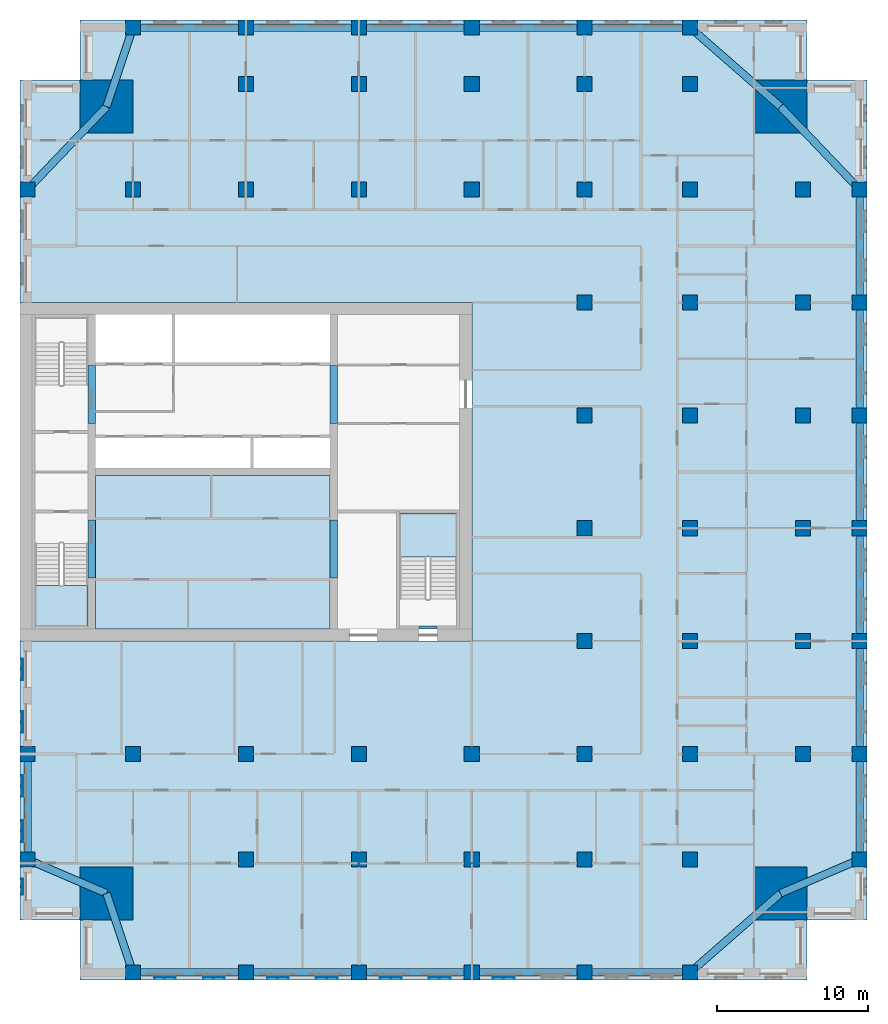
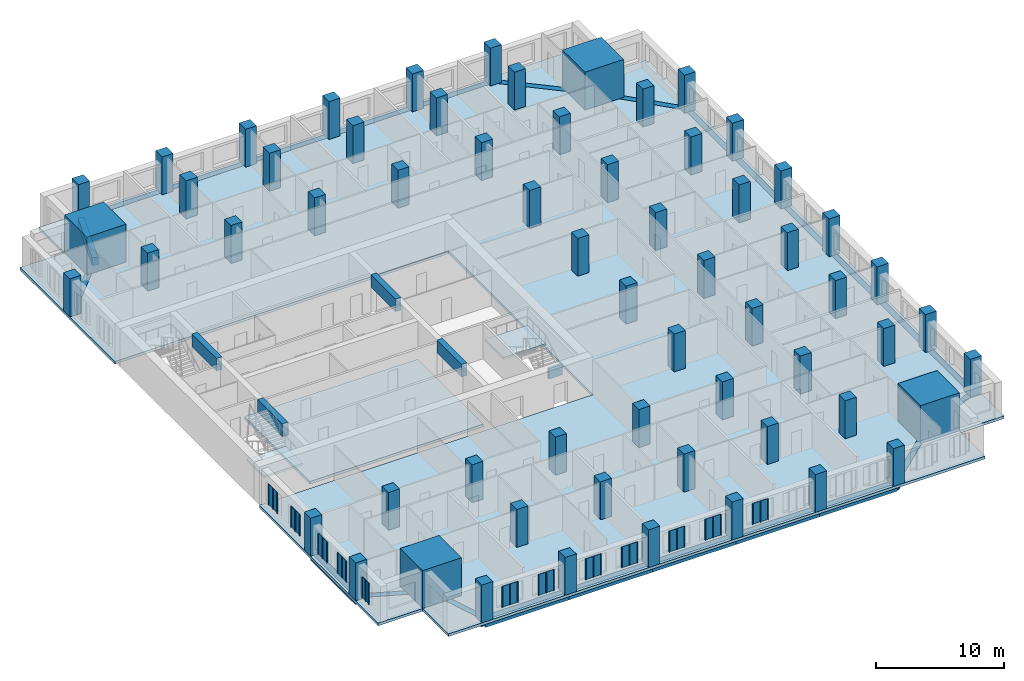
# One storey, part 1 of 14: 62 columns, 30 beams, 12 plates, 4 slabs, 2 elements without a shape of their own.
"""IFC4 building model written with IfcOpenShell, lengths in metres."""

from ifc_helpers import new_model, si_unit, direction, frame, origin, origin_2d, place, context, subcontext, project, spatial, polyline, rectangle, outline, extrude, material, layer, layer_set, material_profile, profile_set, type_object, element, aggregate, save


model = new_model("IFC4")

# Units and contexts
model_context = context("Model", 3, precision=1e-05, world=origin(), true_north=direction((0.0, 1.0)))
body_context = subcontext(model_context, "Body", "Model", "MODEL_VIEW")
ifc_project = project(units=[si_unit("LENGTHUNIT", "METRE"), si_unit("AREAUNIT", "SQUARE_METRE"), si_unit("VOLUMEUNIT", "CUBIC_METRE"), si_unit("PLANEANGLEUNIT", "RADIAN"), si_unit("MASSUNIT", "GRAM", prefix="KILO")], contexts=[model_context])

# Site, building, storey
site_placement = place(None, origin())
site = spatial("IfcSite", under=ifc_project, at=site_placement, CompositionType="ELEMENT")
building_placement = place(site_placement, origin())
building = spatial("IfcBuilding", under=site, at=building_placement, Name="Tamorin Gate", CompositionType="ELEMENT")
storey_placement = place(building_placement, frame((0.0, 0.0, 151.800048828125)))
storey = spatial("IfcBuildingStorey", under=building, at=storey_placement, Name="L37", CompositionType="ELEMENT", Elevation=151.800048828125)

# Columns
ifc_material_1 = material(Name="Concrete C70/85", Category="concrete")
ifc_material_profile_1 = material_profile(ifc_material_1, rectangle(XDim=1.0, YDim=1.0, at=origin_2d()), Name="RC 1000x1000")
ifc_profile_set_1 = profile_set([ifc_material_profile_1], Name="Concrete C70/85")
column_type_1 = type_object("IfcColumnType", Name="RC column 1000x1000 C70/85", PredefinedType="COLUMN", material=ifc_profile_set_1)
for number, where, z_axis, x_axis, name in (
    (1, (85.75, 45.5, 0.0), (0.0, 0.0, 1.0), (1.0, 0.0, 0.0), "Ring column L37"),
    (2, (85.75, 52.5, 0.0), (0.0, 0.0, 1.0), (1.0, 0.0, 0.0), "Ring column L37"),
    (3, (85.75, 60.0, 0.0), (0.0, 0.0, 1.0), (1.0, 0.0, 0.0), "Ring column L37"),
    (4, (85.75, 67.5, 0.0), (0.0, 0.0, 1.0), (1.0, 0.0, 0.0), "Ring column L37"),
    (5, (85.75, 75.0, 0.0), (0.0, 0.0, 1.0), (1.0, 0.0, 0.0), "Ring column L37"),
    (6, (85.75, 82.5, 0.0), (0.0, 0.0, 1.0), (1.0, 0.0, 0.0), "Ring column L37"),
    (7, (85.75, 90.0, 0.0), (0.0, 0.0, 1.0), (1.0, 0.0, 0.0), "Ring column L37"),
    (8, (37.5, 100.75, 0.0), (0.0, 0.0, 1.0), (1.0, 0.0, 0.0), "Ring column L37"),
    (9, (45.0, 100.75, 0.0), (0.0, 0.0, 1.0), (1.0, 0.0, 0.0), "Ring column L37"),
    (10, (52.5, 100.75, 0.0), (0.0, 0.0, 1.0), (1.0, 0.0, 0.0), "Ring column L37"),
    (11, (60.0, 100.75, 0.0), (0.0, 0.0, 1.0), (1.0, 0.0, 0.0), "Ring column L37"),
    (12, (67.5, 100.75, 0.0), (0.0, 0.0, 1.0), (1.0, 0.0, 0.0), "Ring column L37"),
    (13, (74.5, 100.75, 0.0), (0.0, 0.0, 1.0), (1.0, 0.0, 0.0), "Ring column L37"),
    (14, (30.5, 45.5, 0.0), (0.0, 0.0, 1.0), (1.0, 0.0, 0.0), "Ring column L37"),
    (15, (30.5, 52.5, 0.0), (0.0, 0.0, 1.0), (1.0, 0.0, 0.0), "Ring column L37"),
    (16, (30.5, 90.0, 0.0), (0.0, 0.0, 1.0), (1.0, 0.0, 0.0), "Ring column L37"),
    (17, (37.5, 38.0, 0.0), (0.0, 0.0, 1.0), (1.0, 0.0, 0.0), "Ring column L37"),
    (18, (37.5, 52.5, 0.0), (0.0, 0.0, 1.0), (1.0, 0.0, 0.0), "Interior column L37"),
    (19, (37.5, 90.0, 0.0), (0.0, 0.0, 1.0), (1.0, 0.0, 0.0), "Interior column L37"),
    (20, (45.0, 38.0, 0.0), (0.0, 0.0, 1.0), (1.0, 0.0, 0.0), "Ring column L37"),
    (21, (45.0, 45.5, 0.0), (0.0, 0.0, 1.0), (1.0, 0.0, 0.0), "Interior column L37"),
    (22, (45.0, 52.5, 0.0), (0.0, 0.0, 1.0), (1.0, 0.0, 0.0), "Interior column L37"),
    (23, (45.0, 90.0, 0.0), (0.0, 0.0, 1.0), (1.0, 0.0, 0.0), "Interior column L37"),
    (24, (45.0, 97.0, 0.0), (0.0, 0.0, 1.0), (1.0, 0.0, 0.0), "Interior column L37"),
    (25, (52.5, 38.0, 0.0), (0.0, 0.0, 1.0), (1.0, 0.0, 0.0), "Ring column L37"),
    (26, (52.5, 45.5, 0.0), (0.0, 0.0, 1.0), (1.0, 0.0, 0.0), "Interior column L37"),
    (27, (52.5, 52.5, 0.0), (0.0, 0.0, 1.0), (1.0, 0.0, 0.0), "Interior column L37"),
    (28, (52.5, 90.0, 0.0), (0.0, 0.0, 1.0), (1.0, 0.0, 0.0), "Interior column L37"),
    (29, (52.5, 97.0, 0.0), (0.0, 0.0, 1.0), (1.0, 0.0, 0.0), "Interior column L37"),
    (30, (60.0, 38.0, 0.0), (0.0, 0.0, 1.0), (1.0, 0.0, 0.0), "Ring column L37"),
    (31, (60.0, 45.5, 0.0), (0.0, 0.0, 1.0), (1.0, 0.0, 0.0), "Interior column L37"),
    (32, (60.0, 52.5, 0.0), (0.0, 0.0, 1.0), (1.0, 0.0, 0.0), "Interior column L37"),
    (33, (60.0, 90.0, 0.0), (0.0, 0.0, 1.0), (1.0, 0.0, 0.0), "Interior column L37"),
    (34, (60.0, 97.0, 0.0), (0.0, 0.0, 1.0), (1.0, 0.0, 0.0), "Interior column L37"),
    (35, (67.5, 38.0, 0.0), (0.0, 0.0, 1.0), (1.0, 0.0, 0.0), "Ring column L37"),
    (36, (67.5, 45.5, 0.0), (0.0, 0.0, 1.0), (1.0, 0.0, 0.0), "Interior column L37"),
    (37, (67.5, 52.5, 0.0), (0.0, 0.0, 1.0), (1.0, 0.0, 0.0), "Interior column L37"),
    (38, (67.5, 60.0, 0.0), (0.0, 0.0, 1.0), (1.0, 0.0, 0.0), "Interior column L37"),
    (39, (67.5, 67.5, 0.0), (0.0, 0.0, 1.0), (1.0, 0.0, 0.0), "Interior column L37"),
    (40, (67.5, 75.0, 0.0), (0.0, 0.0, 1.0), (1.0, 0.0, 0.0), "Interior column L37"),
    (41, (67.5, 82.5, 0.0), (0.0, 0.0, 1.0), (1.0, 0.0, 0.0), "Interior column L37"),
    (42, (67.5, 90.0, 0.0), (0.0, 0.0, 1.0), (1.0, 0.0, 0.0), "Interior column L37"),
    (43, (67.5, 97.0, 0.0), (0.0, 0.0, 1.0), (1.0, 0.0, 0.0), "Interior column L37"),
    (44, (74.5, 38.0, 0.0), (0.0, 0.0, 1.0), (1.0, 0.0, 0.0), "Ring column L37"),
    (45, (74.5, 45.5, 0.0), (0.0, 0.0, 1.0), (1.0, 0.0, 0.0), "Interior column L37"),
    (46, (74.5, 52.5, 0.0), (0.0, 0.0, 1.0), (1.0, 0.0, 0.0), "Interior column L37"),
    (47, (74.5, 60.0, 0.0), (0.0, 0.0, 1.0), (1.0, 0.0, 0.0), "Interior column L37"),
    (48, (74.5, 67.5, 0.0), (0.0, 0.0, 1.0), (1.0, 0.0, 0.0), "Interior column L37"),
    (49, (74.5, 75.0, 0.0), (0.0, 0.0, 1.0), (1.0, 0.0, 0.0), "Interior column L37"),
    (50, (74.5, 82.5, 0.0), (0.0, 0.0, 1.0), (1.0, 0.0, 0.0), "Interior column L37"),
    (51, (74.5, 90.0, 0.0), (0.0, 0.0, 1.0), (1.0, 0.0, 0.0), "Interior column L37"),
    (52, (74.5, 97.0, 0.0), (0.0, 0.0, 1.0), (1.0, 0.0, 0.0), "Interior column L37"),
    (53, (82.0, 52.5, 0.0), (0.0, 0.0, 1.0), (1.0, 0.0, 0.0), "Interior column L37"),
    (54, (82.0, 60.0, 0.0), (0.0, 0.0, 1.0), (1.0, 0.0, 0.0), "Interior column L37"),
    (55, (82.0, 67.5, 0.0), (0.0, 0.0, 1.0), (1.0, 0.0, 0.0), "Interior column L37"),
    (56, (82.0, 75.0, 0.0), (0.0, 0.0, 1.0), (1.0, 0.0, 0.0), "Interior column L37"),
    (57, (82.0, 82.5, 0.0), (0.0, 0.0, 1.0), (1.0, 0.0, 0.0), "Interior column L37"),
    (58, (82.0, 90.0, 0.0), (0.0, 0.0, 1.0), (1.0, 0.0, 0.0), "Interior column L37"),
):
    element("IfcColumn", number, at=place(storey_placement, frame(where, z_axis=z_axis, x_axis=x_axis)), inside=storey, type_object=column_type_1, Name=name, PredefinedType="COLUMN", context=body_context, shape_type="SweptSolid", body=[
        extrude(rectangle(XDim=1.0, YDim=1.0, at=origin_2d()), origin(), (0.0, 0.0, 1.0), 3.599853515625),
    ])
ifc_material_profile_2 = material_profile(ifc_material_1, rectangle(XDim=3.5, YDim=3.5, at=origin_2d()), Name="RC 3500x3500")
ifc_profile_set_2 = profile_set([ifc_material_profile_2], Name="Concrete C70/85")
column_type_2 = type_object("IfcColumnType", Name="RC column 3500x3500 C70/85", PredefinedType="COLUMN", material=ifc_profile_set_2)
for number, where, z_axis, x_axis, name in (
    (59, (35.75, 43.25, 0.0), (0.0, 0.0, 1.0), (1.0, 0.0, 0.0), "Mega column SW L37"),
    (60, (80.5, 43.25, 0.0), (0.0, 0.0, 1.0), (1.0, 0.0, 0.0), "Mega column SE L37"),
    (61, (35.75, 95.5, 0.0), (0.0, 0.0, 1.0), (1.0, 0.0, 0.0), "Mega column NW L37"),
    (62, (80.5, 95.5, 0.0), (0.0, 0.0, 1.0), (1.0, 0.0, 0.0), "Mega column NE L37"),
):
    element("IfcColumn", number, at=place(storey_placement, frame(where, z_axis=z_axis, x_axis=x_axis)), inside=storey, type_object=column_type_2, Name=name, PredefinedType="COLUMN", context=body_context, shape_type="SweptSolid", body=[
        extrude(rectangle(XDim=3.5, YDim=3.5, at=origin_2d()), origin(), (0.0, 0.0, 1.0), 3.599853515625),
    ])

# Beams
ifc_material_2 = material(Name="Concrete C60/75", Category="concrete")
ifc_material_profile_3 = material_profile(ifc_material_2, rectangle(XDim=0.5, YDim=1.199951171875, at=origin_2d()), Name="RC 500x1200")
ifc_profile_set_3 = profile_set([ifc_material_profile_3], Name="Concrete C60/75")
beam_type_1 = type_object("IfcBeamType", Name="RC coupling beam 500x1200 C60/75", PredefinedType="BEAM", material=ifc_profile_set_3)
for number, where, z_axis, x_axis, name in (
    (63, (34.75, 64.199951171875, 3.0), (0.0, 1.0, 0.0), (-1.0, 0.0, 0.0), "Coupling beam L37"),
    (64, (34.75, 74.449951171875, 3.0), (0.0, 1.0, 0.0), (-1.0, 0.0, 0.0), "Coupling beam L37"),
    (65, (50.85009765625, 64.199951171875, 3.0), (0.0, 1.0, 0.0), (-1.0, 0.0, 0.0), "Coupling beam L37"),
    (66, (50.85009765625, 74.449951171875, 3.0), (0.0, 1.0, 0.0), (-1.0, 0.0, 0.0), "Coupling beam L37"),
):
    element("IfcBeam", number, at=place(storey_placement, frame(where, z_axis=z_axis, x_axis=x_axis)), inside=storey, type_object=beam_type_1, Name=name, PredefinedType="BEAM", context=body_context, shape_type="SweptSolid", body=[
        extrude(rectangle(XDim=0.5, YDim=1.199951171875, at=origin_2d()), origin(), (0.0, 0.0, 1.0), 3.85009765625),
    ])
ifc_material_3 = material(Name="Concrete C50/60", Category="concrete")
ifc_material_profile_4 = material_profile(ifc_material_3, rectangle(XDim=0.5, YDim=0.75, at=origin_2d()), Name="RC 500x750")
ifc_profile_set_4 = profile_set([ifc_material_profile_4], Name="Concrete C50/60")
beam_type_2 = type_object("IfcBeamType", Name="RC spandrel 500x750 C50/60", PredefinedType="BEAM", material=ifc_profile_set_4)
for number, where, z_axis, x_axis, name in (
    (67, (37.5, 38.0, -0.375), (1.0, 0.0, 0.0), (0.0, 1.0, 0.0), "Spandrel beam L37"),
    (68, (45.0, 38.0, -0.375), (1.0, 0.0, 0.0), (0.0, 1.0, 0.0), "Spandrel beam L37"),
    (69, (52.5, 38.0, -0.375), (1.0, 0.0, 0.0), (0.0, 1.0, 0.0), "Spandrel beam L37"),
    (70, (60.0, 38.0, -0.375), (1.0, 0.0, 0.0), (0.0, 1.0, 0.0), "Spandrel beam L37"),
):
    element("IfcBeam", number, at=place(storey_placement, frame(where, z_axis=z_axis, x_axis=x_axis)), inside=storey, type_object=beam_type_2, Name=name, PredefinedType="BEAM", context=body_context, shape_type="SweptSolid", body=[
        extrude(rectangle(XDim=0.5, YDim=0.75, at=origin_2d()), origin(), (0.0, 0.0, 1.0), 7.5),
    ])
for number, where, z_axis, x_axis, name in (
    (71, (67.5, 38.0, -0.375), (1.0, 0.0, 0.0), (0.0, 1.0, 0.0), "Spandrel beam L37"),
    (72, (85.75, 45.5, -0.375), (0.0, 1.0, 0.0), (-1.0, 0.0, 0.0), "Spandrel beam L37"),
):
    element("IfcBeam", number, at=place(storey_placement, frame(where, z_axis=z_axis, x_axis=x_axis)), inside=storey, type_object=beam_type_2, Name=name, PredefinedType="BEAM", context=body_context, shape_type="SweptSolid", body=[
        extrude(rectangle(XDim=0.5, YDim=0.75, at=origin_2d()), origin(), (0.0, 0.0, 1.0), 7.0),
    ])
for number, where, z_axis, x_axis, name in (
    (73, (85.75, 52.5, -0.375), (0.0, 1.0, 0.0), (-1.0, 0.0, 0.0), "Spandrel beam L37"),
    (74, (85.75, 60.0, -0.375), (0.0, 1.0, 0.0), (-1.0, 0.0, 0.0), "Spandrel beam L37"),
    (75, (85.75, 67.5, -0.375), (0.0, 1.0, 0.0), (-1.0, 0.0, 0.0), "Spandrel beam L37"),
    (76, (85.75, 75.0, -0.375), (0.0, 1.0, 0.0), (-1.0, 0.0, 0.0), "Spandrel beam L37"),
    (77, (85.75, 82.5, -0.375), (0.0, 1.0, 0.0), (-1.0, 0.0, 0.0), "Spandrel beam L37"),
):
    element("IfcBeam", number, at=place(storey_placement, frame(where, z_axis=z_axis, x_axis=x_axis)), inside=storey, type_object=beam_type_2, Name=name, PredefinedType="BEAM", context=body_context, shape_type="SweptSolid", body=[
        extrude(rectangle(XDim=0.5, YDim=0.75, at=origin_2d()), origin(), (0.0, 0.0, 1.0), 7.5),
    ])
beam_1_placement = place(storey_placement, frame((74.5, 100.75, -0.375), z_axis=(-1.0, 0.0, 0.0), x_axis=(0.0, -1.0, 0.0)))
element("IfcBeam", 78, at=beam_1_placement, inside=storey, type_object=beam_type_2, Name="Spandrel beam L37", PredefinedType="BEAM", context=body_context, shape_type="SweptSolid", body=[
    extrude(rectangle(XDim=0.5, YDim=0.75, at=origin_2d()), origin(), (0.0, 0.0, 1.0), 7.0),
])
for number, where, z_axis, x_axis, name in (
    (79, (67.5, 100.75, -0.375), (-1.0, 0.0, 0.0), (0.0, -1.0, 0.0), "Spandrel beam L37"),
    (80, (60.0, 100.75, -0.375), (-1.0, 0.0, 0.0), (0.0, -1.0, 0.0), "Spandrel beam L37"),
    (81, (52.5, 100.75, -0.375), (-1.0, 0.0, 0.0), (0.0, -1.0, 0.0), "Spandrel beam L37"),
    (82, (45.0, 100.75, -0.375), (-1.0, 0.0, 0.0), (0.0, -1.0, 0.0), "Spandrel beam L37"),
):
    element("IfcBeam", number, at=place(storey_placement, frame(where, z_axis=z_axis, x_axis=x_axis)), inside=storey, type_object=beam_type_2, Name=name, PredefinedType="BEAM", context=body_context, shape_type="SweptSolid", body=[
        extrude(rectangle(XDim=0.5, YDim=0.75, at=origin_2d()), origin(), (0.0, 0.0, 1.0), 7.5),
    ])
beam_2_placement = place(storey_placement, frame((30.5, 52.5, -0.375), z_axis=(0.0, -1.0, 0.0), x_axis=(1.0, 0.0, 0.0)))
element("IfcBeam", 83, at=beam_2_placement, inside=storey, type_object=beam_type_2, Name="Spandrel beam L37", PredefinedType="BEAM", context=body_context, shape_type="SweptSolid", body=[
    extrude(rectangle(XDim=0.5, YDim=0.75, at=origin_2d()), origin(), (0.0, 0.0, 1.0), 7.0),
])
beam_3_placement = place(storey_placement, frame((35.75, 43.25, -0.375), z_axis=(0.316227766017, -0.948683298051, 0.0), x_axis=(0.948683298051, 0.316227766017, 0.0)))
element("IfcBeam", 84, at=beam_3_placement, inside=storey, type_object=beam_type_2, Name="Corner tie beam L37", PredefinedType="BEAM", context=body_context, shape_type="SweptSolid", body=[
    extrude(rectangle(XDim=0.5, YDim=0.75, at=origin_2d()), origin(), (0.0, 0.0, 1.0), 5.533935546875),
])
for number, where, z_axis, x_axis, name in (
    (85, (35.75, 43.25, -0.375), (-0.919145030018, 0.393919298579, 0.0), (-0.393919298579, -0.919145030018, 0.0), "Corner tie beam L37"),
    (86, (80.5, 43.25, -0.375), (0.919145030018, 0.393919298579, 0.0), (-0.393919298579, 0.919145030018, 0.0), "Corner tie beam L37"),
):
    element("IfcBeam", number, at=place(storey_placement, frame(where, z_axis=z_axis, x_axis=x_axis)), inside=storey, type_object=beam_type_2, Name=name, PredefinedType="BEAM", context=body_context, shape_type="SweptSolid", body=[
        extrude(rectangle(XDim=0.5, YDim=0.75, at=origin_2d()), origin(), (0.0, 0.0, 1.0), 5.7119140625),
    ])
beam_4_placement = place(storey_placement, frame((80.5, 43.25, -0.375), z_axis=(-0.752576694707, -0.658504607869, 0.0), x_axis=(0.658504607869, -0.752576694707, 0.0)))
element("IfcBeam", 87, at=beam_4_placement, inside=storey, type_object=beam_type_2, Name="Corner tie beam L37", PredefinedType="BEAM", context=body_context, shape_type="SweptSolid", body=[
    extrude(rectangle(XDim=0.5, YDim=0.75, at=origin_2d()), origin(), (0.0, 0.0, 1.0), 7.97265625),
])
beam_5_placement = place(storey_placement, frame((35.75, 95.5, -0.375), z_axis=(0.316227766017, 0.948683298051, 0.0), x_axis=(-0.948683298051, 0.316227766017, 0.0)))
element("IfcBeam", 88, at=beam_5_placement, inside=storey, type_object=beam_type_2, Name="Corner tie beam L37", PredefinedType="BEAM", context=body_context, shape_type="SweptSolid", body=[
    extrude(rectangle(XDim=0.5, YDim=0.75, at=origin_2d()), origin(), (0.0, 0.0, 1.0), 5.533935546875),
])
for number, where, z_axis, x_axis, name in (
    (89, (35.75, 95.5, -0.375), (-0.690475746683, -0.723355544144, 0.0), (0.723355544144, -0.690475746683, 0.0), "Corner tie beam L37"),
    (90, (80.5, 95.5, -0.375), (0.690475746683, -0.723355544144, 0.0), (0.723355544144, 0.690475746683, 0.0), "Corner tie beam L37"),
):
    element("IfcBeam", number, at=place(storey_placement, frame(where, z_axis=z_axis, x_axis=x_axis)), inside=storey, type_object=beam_type_2, Name=name, PredefinedType="BEAM", context=body_context, shape_type="SweptSolid", body=[
        extrude(rectangle(XDim=0.5, YDim=0.75, at=origin_2d()), origin(), (0.0, 0.0, 1.0), 7.603515625),
    ])
beam_6_placement = place(storey_placement, frame((80.5, 95.5, -0.375), z_axis=(-0.752576694707, 0.658504607869, 0.0), x_axis=(-0.658504607869, -0.752576694707, 0.0)))
element("IfcBeam", 91, at=beam_6_placement, inside=storey, type_object=beam_type_2, Name="Corner tie beam L37", PredefinedType="BEAM", context=body_context, shape_type="SweptSolid", body=[
    extrude(rectangle(XDim=0.5, YDim=0.75, at=origin_2d()), origin(), (0.0, 0.0, 1.0), 7.97265625),
])
ifc_material_profile_5 = material_profile(ifc_material_2, rectangle(XDim=0.199951171875, YDim=1.0, at=origin_2d()))
ifc_profile_set_5 = profile_set([ifc_material_profile_5], Name="Concrete C60/75")
beam_type_3 = type_object("IfcBeamType", Name="Stair lintel 200x1000 C60/75", PredefinedType="BEAM", material=ifc_profile_set_5)
beam_7_placement = place(storey_placement, frame((56.5, 60.89990234375, 2.699951171875), z_axis=(1.0, 0.0, 0.0), x_axis=(0.0, 1.0, 0.0)))
element("IfcBeam", 92, at=beam_7_placement, inside=storey, type_object=beam_type_3, Name="Stair lintel", PredefinedType="BEAM", context=body_context, shape_type="SweptSolid", body=[
    extrude(rectangle(XDim=0.199951171875, YDim=1.0, at=origin_2d()), origin(), (0.0, 0.0, 1.0), 1.199951171875),
])

# Slab
ifc_material_4 = material(Name="Concrete C40/50", Category="concrete")
ifc_layer_1 = layer(ifc_material_4, 0.25)
ifc_layer_set_1 = layer_set([ifc_layer_1], Name="Core floor slab 250 C40/50")
slab_type_1 = type_object("IfcSlabType", Name="Core floor slab 250 C40/50", PredefinedType="FLOOR", material=ifc_layer_set_1)
slab_1_placement = place(storey_placement, frame((0.0, 0.0, -0.25)))
element("IfcSlab", 93, at=slab_1_placement, inside=storey, type_object=slab_type_1, Name="Core floor L37", PredefinedType="FLOOR", context=body_context, shape_type="SweptSolid", body=[
    extrude(outline(polyline([(50.60009765625, 71.0), (50.60009765625, 60.800048828125), (35.0, 60.800048828125), (35.0, 71.0), (50.60009765625, 71.0)])), origin(), (0.0, 0.0, 1.0), 0.25),
])

# Stair, slab
stair_type = type_object("IfcStairType", Name="Exit stair", PredefinedType="HALF_TURN_STAIR", material=ifc_material_4)
stair_1_placement = place(storey_placement, origin())
stair_1 = element("IfcStair", 94, at=stair_1_placement, inside=storey, type_object=stair_type, Name="L37 stair ST1", PredefinedType="HALF_TURN_STAIR")
ifc_layer_2 = layer(ifc_material_4, 0.199951171875)
ifc_layer_set_2 = layer_set([ifc_layer_2], Name="Exit stair landing 200")
slab_type_2 = type_object("IfcSlabType", Name="Exit stair landing 200", PredefinedType="LANDING", material=ifc_layer_set_2)
slab_2_placement = place(storey_placement, frame((0.0, 0.0, 1.599853515625)))
slab_2 = element("IfcSlab", 95, at=slab_2_placement, type_object=slab_type_2, Name="ST1 landing 1", PredefinedType="LANDING", context=body_context, shape_type="SweptSolid", body=[
    extrude(outline(polyline([(31.0, 63.699951171875), (31.0, 61.0), (34.5, 61.0), (34.5, 63.699951171875), (31.0, 63.699951171875)])), origin(), (0.0, 0.0, 1.0), 0.2001953125),
])
aggregate(stair_1, [slab_2])

stair_2_placement = place(storey_placement, origin())
stair_2 = element("IfcStair", 96, at=stair_2_placement, inside=storey, type_object=stair_type, Name="L37 stair ST3", PredefinedType="HALF_TURN_STAIR")
slab_3_placement = place(storey_placement, frame((0.0, 0.0, 1.599853515625)))
slab_3 = element("IfcSlab", 97, at=slab_3_placement, type_object=slab_type_2, Name="ST3 landing 1", PredefinedType="LANDING", context=body_context, shape_type="SweptSolid", body=[
    extrude(outline(polyline([(59.0, 65.60009765625), (59.0, 68.5), (55.199951171875, 68.5), (55.199951171875, 65.60009765625), (59.0, 65.60009765625)])), origin(), (0.0, 0.0, 1.0), 0.2001953125),
])
aggregate(stair_2, [slab_3])

# Slab
ifc_layer_3 = layer(ifc_material_4, 0.25)
ifc_layer_set_3 = layer_set([ifc_layer_3], Name="Floor slab 250 C40/50")
slab_type_3 = type_object("IfcSlabType", Name="Floor slab 250 C40/50", PredefinedType="FLOOR", material=ifc_layer_set_3)
slab_4_placement = place(storey_placement, frame((0.0, 0.0, -0.25)))
element("IfcSlab", 98, at=slab_4_placement, inside=storey, type_object=slab_type_3, Name="Floor L37", PredefinedType="FLOOR", context=body_context, shape_type="SweptSolid", body=[
    extrude(outline(polyline([(30.0, 97.25), (34.0, 97.25), (34.0, 101.25), (82.25, 101.25), (82.25, 97.25), (86.25, 97.25), (86.25, 41.5), (82.25, 41.5), (82.25, 37.5), (34.0, 37.5), (34.0, 41.5), (30.0, 41.5), (30.0, 60.0), (60.0, 60.0), (60.0, 82.5), (30.0, 82.5), (30.0, 97.25)])), origin(), (0.0, 0.0, 1.0), 0.25),
])

# Plates
ifc_material_5 = material(Name="Perforated pale aluminium sheet", Category="aluminium")
ifc_layer_4 = layer(ifc_material_5, 0.0400390625)
ifc_layer_set_4 = layer_set([ifc_layer_4], Name="Pale metal solar screen 1080")
plate_type_1 = type_object("IfcPlateType", Name="Pale metal solar screen 1080", PredefinedType="SHEET", material=ifc_layer_set_4)
plate_1_placement = place(storey_placement, frame((0.0, 0.0, 0.7099609375)))
element("IfcPlate", 99, at=plate_1_placement, inside=storey, type_object=plate_type_1, Name="Perforated solar screen", PredefinedType="SHEET", context=body_context, shape_type="SweptSolid", body=[
    extrude(outline(polyline([(30.159912109375, 44.239990234375), (30.199951171875, 44.239990234375), (30.199951171875, 44.179931640625), (30.199951171875, 43.72998046875), (30.199951171875, 43.669921875), (30.199951171875, 43.219970703125), (30.199951171875, 43.159912109375), (30.159912109375, 43.159912109375), (30.10009765625, 43.159912109375), (30.10009765625, 43.219970703125), (30.159912109375, 43.219970703125), (30.159912109375, 43.669921875), (30.10009765625, 43.669921875), (30.10009765625, 43.72998046875), (30.159912109375, 43.72998046875), (30.159912109375, 44.179931640625), (30.10009765625, 44.179931640625), (30.10009765625, 44.239990234375), (30.159912109375, 44.239990234375)])), origin(), (0.0, 0.0, 1.0), 1.97998046875),
])
ifc_layer_5 = layer(ifc_material_5, 0.0400390625)
ifc_layer_set_5 = layer_set([ifc_layer_5], Name="Pale metal solar screen 1440")
plate_type_2 = type_object("IfcPlateType", Name="Pale metal solar screen 1440", PredefinedType="SHEET", material=ifc_layer_set_5)
plate_2_placement = place(storey_placement, frame((0.0, 0.0, 0.7099609375)))
element("IfcPlate", 100, at=plate_2_placement, inside=storey, type_object=plate_type_2, Name="Perforated solar screen", PredefinedType="SHEET", context=body_context, shape_type="SweptSolid", body=[
    extrude(outline(polyline([(38.905029296875, 37.659912109375), (38.905029296875, 37.699951171875), (38.965087890625, 37.699951171875), (39.594970703125, 37.699951171875), (39.655029296875, 37.699951171875), (40.284912109375, 37.699951171875), (40.344970703125, 37.699951171875), (40.344970703125, 37.699951171875), (40.344970703125, 37.659912109375), (40.344970703125, 37.659912109375), (40.344970703125, 37.60009765625), (40.284912109375, 37.60009765625), (40.284912109375, 37.659912109375), (39.655029296875, 37.659912109375), (39.655029296875, 37.60009765625), (39.594970703125, 37.60009765625), (39.594970703125, 37.659912109375), (38.965087890625, 37.659912109375), (38.965087890625, 37.60009765625), (38.905029296875, 37.60009765625), (38.905029296875, 37.659912109375)])), origin(), (0.0, 0.0, 1.0), 1.97998046875),
])
plate_3_placement = place(storey_placement, frame((0.0, 0.0, 0.7099609375)))
element("IfcPlate", 101, at=plate_3_placement, inside=storey, type_object=plate_type_2, Name="Perforated solar screen", PredefinedType="SHEET", context=body_context, shape_type="SweptSolid", body=[
    extrude(outline(polyline([(42.155029296875, 37.659912109375), (42.155029296875, 37.699951171875), (42.215087890625, 37.699951171875), (42.844970703125, 37.699951171875), (42.905029296875, 37.699951171875), (43.534912109375, 37.699951171875), (43.594970703125, 37.699951171875), (43.594970703125, 37.659912109375), (43.594970703125, 37.60009765625), (43.534912109375, 37.60009765625), (43.534912109375, 37.659912109375), (42.905029296875, 37.659912109375), (42.905029296875, 37.60009765625), (42.844970703125, 37.60009765625), (42.844970703125, 37.659912109375), (42.215087890625, 37.659912109375), (42.215087890625, 37.60009765625), (42.155029296875, 37.60009765625), (42.155029296875, 37.659912109375)])), origin(), (0.0, 0.0, 1.0), 1.97998046875),
])
plate_4_placement = place(storey_placement, frame((0.0, 0.0, 0.7099609375)))
element("IfcPlate", 102, at=plate_4_placement, inside=storey, type_object=plate_type_2, Name="Perforated solar screen", PredefinedType="SHEET", context=body_context, shape_type="SweptSolid", body=[
    extrude(outline(polyline([(46.405029296875, 37.659912109375), (46.405029296875, 37.699951171875), (46.465087890625, 37.699951171875), (47.094970703125, 37.699951171875), (47.155029296875, 37.699951171875), (47.784912109375, 37.699951171875), (47.844970703125, 37.699951171875), (47.844970703125, 37.659912109375), (47.844970703125, 37.60009765625), (47.784912109375, 37.60009765625), (47.784912109375, 37.659912109375), (47.155029296875, 37.659912109375), (47.155029296875, 37.60009765625), (47.094970703125, 37.60009765625), (47.094970703125, 37.659912109375), (46.465087890625, 37.659912109375), (46.465087890625, 37.60009765625), (46.405029296875, 37.60009765625), (46.405029296875, 37.659912109375)])), origin(), (0.0, 0.0, 1.0), 1.97998046875),
])
plate_5_placement = place(storey_placement, frame((0.0, 0.0, 0.7099609375)))
element("IfcPlate", 103, at=plate_5_placement, inside=storey, type_object=plate_type_2, Name="Perforated solar screen", PredefinedType="SHEET", context=body_context, shape_type="SweptSolid", body=[
    extrude(outline(polyline([(49.655029296875, 37.659912109375), (49.655029296875, 37.699951171875), (49.715087890625, 37.699951171875), (50.344970703125, 37.699951171875), (50.405029296875, 37.699951171875), (51.034912109375, 37.699951171875), (51.094970703125, 37.699951171875), (51.094970703125, 37.659912109375), (51.094970703125, 37.60009765625), (51.034912109375, 37.60009765625), (51.034912109375, 37.659912109375), (50.405029296875, 37.659912109375), (50.405029296875, 37.60009765625), (50.344970703125, 37.60009765625), (50.344970703125, 37.659912109375), (49.715087890625, 37.659912109375), (49.715087890625, 37.60009765625), (49.655029296875, 37.60009765625), (49.655029296875, 37.659912109375)])), origin(), (0.0, 0.0, 1.0), 1.97998046875),
])
plate_6_placement = place(storey_placement, frame((0.0, 0.0, 0.7099609375)))
element("IfcPlate", 104, at=plate_6_placement, inside=storey, type_object=plate_type_2, Name="Perforated solar screen", PredefinedType="SHEET", context=body_context, shape_type="SweptSolid", body=[
    extrude(outline(polyline([(53.905029296875, 37.659912109375), (53.905029296875, 37.699951171875), (53.965087890625, 37.699951171875), (54.594970703125, 37.699951171875), (54.655029296875, 37.699951171875), (55.284912109375, 37.699951171875), (55.344970703125, 37.699951171875), (55.344970703125, 37.659912109375), (55.344970703125, 37.60009765625), (55.284912109375, 37.60009765625), (55.284912109375, 37.659912109375), (54.655029296875, 37.659912109375), (54.655029296875, 37.60009765625), (54.594970703125, 37.60009765625), (54.594970703125, 37.659912109375), (53.965087890625, 37.659912109375), (53.965087890625, 37.60009765625), (53.905029296875, 37.60009765625), (53.905029296875, 37.659912109375)])), origin(), (0.0, 0.0, 1.0), 1.97998046875),
])
plate_7_placement = place(storey_placement, frame((0.0, 0.0, 0.7099609375)))
element("IfcPlate", 105, at=plate_7_placement, inside=storey, type_object=plate_type_2, Name="Perforated solar screen", PredefinedType="SHEET", context=body_context, shape_type="SweptSolid", body=[
    extrude(outline(polyline([(57.155029296875, 37.659912109375), (57.155029296875, 37.699951171875), (57.215087890625, 37.699951171875), (57.844970703125, 37.699951171875), (57.905029296875, 37.699951171875), (58.534912109375, 37.699951171875), (58.594970703125, 37.699951171875), (58.594970703125, 37.659912109375), (58.594970703125, 37.60009765625), (58.534912109375, 37.60009765625), (58.534912109375, 37.659912109375), (57.905029296875, 37.659912109375), (57.905029296875, 37.60009765625), (57.844970703125, 37.60009765625), (57.844970703125, 37.659912109375), (57.215087890625, 37.659912109375), (57.215087890625, 37.60009765625), (57.155029296875, 37.60009765625), (57.155029296875, 37.659912109375)])), origin(), (0.0, 0.0, 1.0), 1.97998046875),
])
plate_8_placement = place(storey_placement, frame((0.0, 0.0, 0.7099609375)))
element("IfcPlate", 106, at=plate_8_placement, inside=storey, type_object=plate_type_2, Name="Perforated solar screen", PredefinedType="SHEET", context=body_context, shape_type="SweptSolid", body=[
    extrude(outline(polyline([(61.405029296875, 37.659912109375), (61.405029296875, 37.699951171875), (61.465087890625, 37.699951171875), (62.094970703125, 37.699951171875), (62.155029296875, 37.699951171875), (62.784912109375, 37.699951171875), (62.844970703125, 37.699951171875), (62.844970703125, 37.659912109375), (62.844970703125, 37.60009765625), (62.784912109375, 37.60009765625), (62.784912109375, 37.659912109375), (62.155029296875, 37.659912109375), (62.155029296875, 37.60009765625), (62.094970703125, 37.60009765625), (62.094970703125, 37.659912109375), (61.465087890625, 37.659912109375), (61.465087890625, 37.60009765625), (61.405029296875, 37.60009765625), (61.405029296875, 37.659912109375)])), origin(), (0.0, 0.0, 1.0), 1.97998046875),
])
plate_9_placement = place(storey_placement, frame((0.0, 0.0, 0.7099609375)))
element("IfcPlate", 107, at=plate_9_placement, inside=storey, type_object=plate_type_2, Name="Perforated solar screen", PredefinedType="SHEET", context=body_context, shape_type="SweptSolid", body=[
    extrude(outline(polyline([(30.159912109375, 55.344970703125), (30.199951171875, 55.344970703125), (30.199951171875, 55.284912109375), (30.199951171875, 54.655029296875), (30.199951171875, 54.594970703125), (30.199951171875, 53.965087890625), (30.199951171875, 53.905029296875), (30.159912109375, 53.905029296875), (30.10009765625, 53.905029296875), (30.10009765625, 53.965087890625), (30.159912109375, 53.965087890625), (30.159912109375, 54.594970703125), (30.10009765625, 54.594970703125), (30.10009765625, 54.655029296875), (30.159912109375, 54.655029296875), (30.159912109375, 55.284912109375), (30.10009765625, 55.284912109375), (30.10009765625, 55.344970703125), (30.159912109375, 55.344970703125)])), origin(), (0.0, 0.0, 1.0), 1.97998046875),
])
plate_10_placement = place(storey_placement, frame((0.0, 0.0, 0.7099609375)))
element("IfcPlate", 108, at=plate_10_placement, inside=storey, type_object=plate_type_2, Name="Perforated solar screen", PredefinedType="SHEET", context=body_context, shape_type="SweptSolid", body=[
    extrude(outline(polyline([(30.159912109375, 58.844970703125), (30.199951171875, 58.844970703125), (30.199951171875, 58.784912109375), (30.199951171875, 58.155029296875), (30.199951171875, 58.094970703125), (30.199951171875, 57.465087890625), (30.199951171875, 57.405029296875), (30.159912109375, 57.405029296875), (30.10009765625, 57.405029296875), (30.10009765625, 57.465087890625), (30.159912109375, 57.465087890625), (30.159912109375, 58.094970703125), (30.10009765625, 58.094970703125), (30.10009765625, 58.155029296875), (30.159912109375, 58.155029296875), (30.159912109375, 58.784912109375), (30.10009765625, 58.784912109375), (30.10009765625, 58.844970703125), (30.159912109375, 58.844970703125)])), origin(), (0.0, 0.0, 1.0), 1.97998046875),
])
plate_11_placement = place(storey_placement, frame((0.0, 0.0, 0.7099609375)))
element("IfcPlate", 109, at=plate_11_placement, inside=storey, type_object=plate_type_2, Name="Perforated solar screen", PredefinedType="SHEET", context=body_context, shape_type="SweptSolid", body=[
    extrude(outline(polyline([(30.159912109375, 48.094970703125), (30.199951171875, 48.094970703125), (30.199951171875, 48.034912109375), (30.199951171875, 47.405029296875), (30.199951171875, 47.344970703125), (30.199951171875, 46.715087890625), (30.199951171875, 46.655029296875), (30.159912109375, 46.655029296875), (30.10009765625, 46.655029296875), (30.10009765625, 46.715087890625), (30.159912109375, 46.715087890625), (30.159912109375, 47.344970703125), (30.10009765625, 47.344970703125), (30.10009765625, 47.405029296875), (30.159912109375, 47.405029296875), (30.159912109375, 48.034912109375), (30.10009765625, 48.034912109375), (30.10009765625, 48.094970703125), (30.159912109375, 48.094970703125)])), origin(), (0.0, 0.0, 1.0), 1.97998046875),
])
plate_12_placement = place(storey_placement, frame((0.0, 0.0, 0.7099609375)))
element("IfcPlate", 110, at=plate_12_placement, inside=storey, type_object=plate_type_2, Name="Perforated solar screen", PredefinedType="SHEET", context=body_context, shape_type="SweptSolid", body=[
    extrude(outline(polyline([(30.159912109375, 51.094970703125), (30.199951171875, 51.094970703125), (30.199951171875, 51.034912109375), (30.199951171875, 50.405029296875), (30.199951171875, 50.344970703125), (30.199951171875, 49.715087890625), (30.199951171875, 49.655029296875), (30.159912109375, 49.655029296875), (30.10009765625, 49.655029296875), (30.10009765625, 49.715087890625), (30.159912109375, 49.715087890625), (30.159912109375, 50.344970703125), (30.10009765625, 50.344970703125), (30.10009765625, 50.405029296875), (30.159912109375, 50.405029296875), (30.159912109375, 51.034912109375), (30.10009765625, 51.034912109375), (30.10009765625, 51.094970703125), (30.159912109375, 51.094970703125)])), origin(), (0.0, 0.0, 1.0), 1.97998046875),
])

save(model, "model.ifc")
